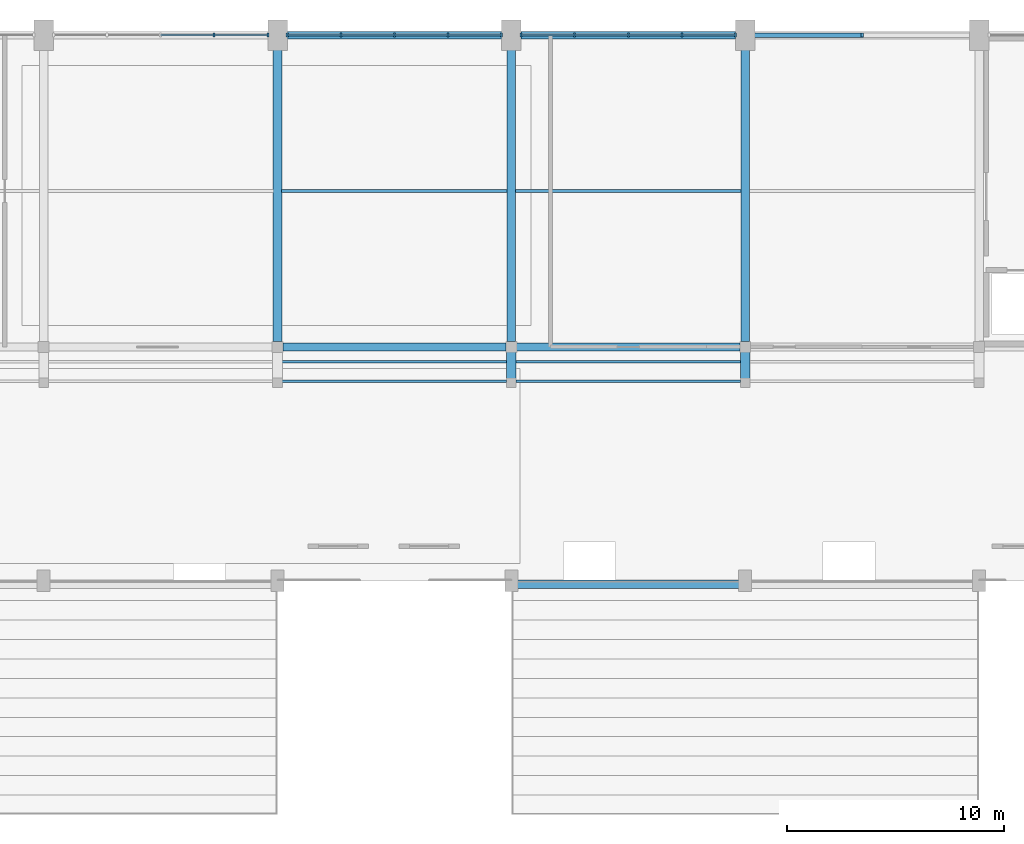
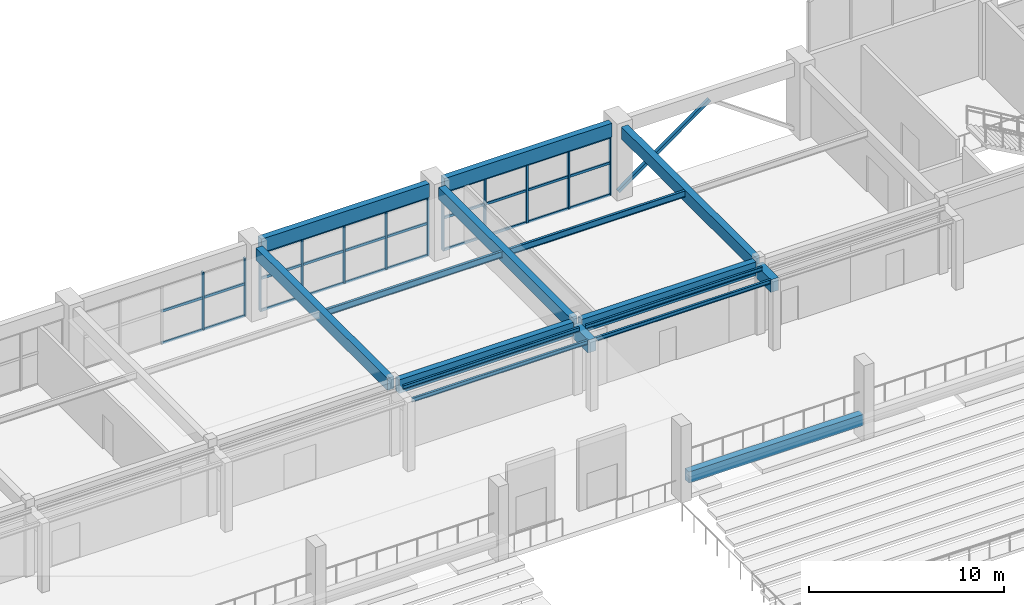
# One storey, part 26 of 74: 35 members, 16 beams, 3 elements without a shape of their own.
"""IFC4 building model written with IfcOpenShell, lengths in metres."""

from ifc_helpers import new_model, si_unit, direction, frame, origin, origin_2d, place, context, subcontext, project, spatial, rectangle, hollow_rectangle, i_section, extrude, material, material_profile, profile_set, type_object, element, aggregate, save


model = new_model("IFC4")

# Units and contexts
model_context = context("Model", 3, precision=1e-05, world=origin(), true_north=direction((0.0, 1.0)))
body_context = subcontext(model_context, "Body", "Model", "MODEL_VIEW")
ifc_project = project(units=[si_unit("LENGTHUNIT", "METRE"), si_unit("AREAUNIT", "SQUARE_METRE"), si_unit("VOLUMEUNIT", "CUBIC_METRE"), si_unit("PLANEANGLEUNIT", "RADIAN"), si_unit("MASSUNIT", "GRAM", prefix="KILO")], contexts=[model_context])

# Site, building, storey
site_placement = place(None, origin())
site = spatial("IfcSite", under=ifc_project, at=site_placement, CompositionType="ELEMENT")
building_placement = place(site_placement, origin())
building = spatial("IfcBuilding", under=site, at=building_placement, Name="Suirenkawa Promenade Aquatics Centre", CompositionType="ELEMENT")
storey_placement = place(building_placement, frame((0.0, 0.0, 4.800048828125)))
storey = spatial("IfcBuildingStorey", under=building, at=storey_placement, Name="L01", CompositionType="ELEMENT", Elevation=4.800048828125)

# Beams
ifc_material_1 = material(Name="Steel IS 2062 E350 (Grade 350)", Category="steel")
ifc_material_profile_1 = material_profile(ifc_material_1, i_section(OverallWidth=0.125, OverallDepth=0.25, WebThickness=0.007080078125, FlangeThickness=0.012939453125, at=origin_2d()), Name="ISMB 250", Category="steel")
ifc_profile_set_1 = profile_set([ifc_material_profile_1], Name="Steel IS 2062 E350 (Grade 350)")
beam_type_1 = type_object("IfcBeamType", Name="BT-JOIST-ISMB250", PredefinedType="JOIST", material=ifc_profile_set_1)
for number, where, z_axis, x_axis, name in (
    (1, (100.989990234375, 106.419921875, 4.18505859375), (1.0, 0.0, 0.0), (0.0, 1.0, 0.0), "VIP tier stringer JS-01 BM-1326"),
    (2, (100.989990234375, 107.320068359375, 4.429931640625), (1.0, 0.0, 0.0), (0.0, 1.0, 0.0), "VIP tier stringer JS-01 BM-1327"),
    (3, (111.7900390625, 106.419921875, 4.18505859375), (1.0, 0.0, 0.0), (0.0, 1.0, 0.0), "VIP tier stringer JS-01 BM-1328"),
    (4, (111.7900390625, 107.320068359375, 4.429931640625), (1.0, 0.0, 0.0), (0.0, 1.0, 0.0), "VIP tier stringer JS-01 BM-1329"),
):
    element("IfcBeam", number, at=place(storey_placement, frame(where, z_axis=z_axis, x_axis=x_axis)), inside=storey, type_object=beam_type_1, Name=name, PredefinedType="JOIST", context=body_context, shape_type="SweptSolid", body=[
        extrude(i_section(OverallWidth=0.125, OverallDepth=0.25, WebThickness=0.007080078125, FlangeThickness=0.012939453125, at=origin_2d()), origin(), (0.0, 0.0, 1.0), 10.419921875),
    ])
ifc_material_profile_2 = material_profile(ifc_material_1, i_section(OverallWidth=0.139892578125, OverallDepth=0.39990234375, WebThickness=0.009033203125, FlangeThickness=0.01611328125, at=origin_2d()), Name="ISMB 400", Category="steel")
ifc_profile_set_2 = profile_set([ifc_material_profile_2], Name="Steel IS 2062 E350 (Grade 350)")
beam_type_2 = type_object("IfcBeamType", Name="BT-JOIST-ISMB400", PredefinedType="JOIST", material=ifc_profile_set_2)
for number, where, z_axis, x_axis, name in (
    (5, (100.993896484375, 115.199951171875, 4.347900390625), (1.0, 0.0, 0.0), (0.0, 1.0, 0.0), "Secondary floor joist JS-04 BM-1153"),
    (6, (111.7939453125, 115.199951171875, 4.347900390625), (1.0, 0.0, 0.0), (0.0, 1.0, 0.0), "Secondary floor joist JS-04 BM-1154"),
):
    element("IfcBeam", number, at=place(storey_placement, frame(where, z_axis=z_axis, x_axis=x_axis)), inside=storey, type_object=beam_type_2, Name=name, PredefinedType="JOIST", context=body_context, shape_type="SweptSolid", body=[
        extrude(i_section(OverallWidth=0.139892578125, OverallDepth=0.39990234375, WebThickness=0.009033203125, FlangeThickness=0.01611328125, at=origin_2d()), origin(), (0.0, 0.0, 1.0), 10.412109375),
    ])
ifc_material_2 = material(Name="Concrete M35", Category="concrete")
ifc_material_profile_3 = material_profile(ifc_material_2, rectangle(XDim=0.39990234375, YDim=0.699951171875, at=origin_2d()), Name="RC BM 400x700", Category="concrete")
ifc_profile_set_3 = profile_set([ifc_material_profile_3], Name="Concrete M35")
beam_type_3 = type_object("IfcBeamType", Name="BT-RC-400x700", PredefinedType="BEAM", material=ifc_profile_set_3)
beam_placement = place(storey_placement, frame((111.840087890625, 97.050048828125, 1.329833984375), z_axis=(1.0, 0.0, 0.0), x_axis=(0.0, 1.0, 0.0)))
element("IfcBeam", 7, at=beam_placement, inside=storey, type_object=beam_type_3, Name="Bowl top header beam BM-04 BM-1268", PredefinedType="BEAM", context=body_context, shape_type="SweptSolid", body=[
    extrude(rectangle(XDim=0.39990234375, YDim=0.699951171875, at=origin_2d()), origin(), (0.0, 0.0, 1.0), 10.31982421875),
])
ifc_material_3 = material(Name="Concrete M40", Category="concrete")
ifc_material_profile_4 = material_profile(ifc_material_3, rectangle(XDim=0.39990234375, YDim=0.75, at=origin_2d()), Name="RC BM 400x750", Category="concrete")
ifc_profile_set_4 = profile_set([ifc_material_profile_4], Name="Concrete M40")
beam_type_4 = type_object("IfcBeamType", Name="BT-RC-400x750", PredefinedType="BEAM", material=ifc_profile_set_4)
for number, where, z_axis, x_axis, name in (
    (8, (100.800048828125, 108.243896484375, 4.175048828125), (0.0, 1.0, 0.0), (-1.0, 0.0, 0.0), "Floor beam BM-05 BM-1146"),
    (9, (111.60009765625, 108.243896484375, 4.175048828125), (0.0, 1.0, 0.0), (-1.0, 0.0, 0.0), "Floor beam BM-05 BM-1147"),
    (10, (122.39990234375, 108.243896484375, 4.175048828125), (0.0, 1.0, 0.0), (-1.0, 0.0, 0.0), "Floor beam BM-05 BM-1148"),
):
    element("IfcBeam", number, at=place(storey_placement, frame(where, z_axis=z_axis, x_axis=x_axis)), inside=storey, type_object=beam_type_4, Name=name, PredefinedType="BEAM", context=body_context, shape_type="SweptSolid", body=[
        extrude(rectangle(XDim=0.39990234375, YDim=0.75, at=origin_2d()), origin(), (0.0, 0.0, 1.0), 13.462158203125),
    ])
ifc_material_profile_5 = material_profile(ifc_material_3, rectangle(XDim=0.449951171875, YDim=0.800048828125, at=origin_2d()), Name="RC BM 450x800", Category="concrete")
ifc_profile_set_5 = profile_set([ifc_material_profile_5], Name="Concrete M40")
beam_type_5 = type_object("IfcBeamType", Name="BT-RC-450x800", PredefinedType="BEAM", material=ifc_profile_set_5)
for number, where, z_axis, x_axis, name in (
    (11, (111.60009765625, 106.35009765625, 3.909912109375), (0.0, 1.0, 0.0), (-1.0, 0.0, 0.0), "VIP tier support girder BM-06 BM-1317"),
    (12, (122.39990234375, 106.35009765625, 3.909912109375), (0.0, 1.0, 0.0), (-1.0, 0.0, 0.0), "VIP tier support girder BM-06 BM-1318"),
):
    element("IfcBeam", number, at=place(storey_placement, frame(where, z_axis=z_axis, x_axis=x_axis)), inside=storey, type_object=beam_type_5, Name=name, PredefinedType="BEAM", context=body_context, shape_type="SweptSolid", body=[
        extrude(rectangle(XDim=0.449951171875, YDim=0.800048828125, at=origin_2d()), origin(), (0.0, 0.0, 1.0), 1.599853515625),
    ])
ifc_material_profile_6 = material_profile(ifc_material_3, rectangle(XDim=0.35009765625, YDim=0.85009765625, at=origin_2d()), Name="RC SPANDREL 350x850", Category="concrete")
ifc_profile_set_6 = profile_set([ifc_material_profile_6], Name="Concrete M40")
beam_type_6 = type_object("IfcBeamType", Name="BT-SPANDREL-350x850", PredefinedType="SPANDREL", material=ifc_profile_set_6)
for number, where, z_axis, x_axis, name in (
    (13, (101.0439453125, 108.0, 4.125), (1.0, 0.0, 0.0), (0.0, 1.0, 0.0), "Floor beam SP-02 BM-1130"),
    (14, (111.843994140625, 108.0, 4.125), (1.0, 0.0, 0.0), (0.0, 1.0, 0.0), "Floor beam SP-02 BM-1131"),
):
    element("IfcBeam", number, at=place(storey_placement, frame(where, z_axis=z_axis, x_axis=x_axis)), inside=storey, type_object=beam_type_6, Name=name, PredefinedType="SPANDREL", context=body_context, shape_type="SweptSolid", body=[
        extrude(rectangle(XDim=0.35009765625, YDim=0.85009765625, at=origin_2d()), origin(), (0.0, 0.0, 1.0), 10.31201171875),
    ])
for number, where, z_axis, x_axis, name in (
    (15, (101.243896484375, 122.39990234375, 4.125), (1.0, 0.0, 0.0), (0.0, 1.0, 0.0), "Floor beam SP-02 BM-1138"),
    (16, (112.0439453125, 122.39990234375, 4.125), (1.0, 0.0, 0.0), (0.0, 1.0, 0.0), "Floor beam SP-02 BM-1139"),
):
    element("IfcBeam", number, at=place(storey_placement, frame(where, z_axis=z_axis, x_axis=x_axis)), inside=storey, type_object=beam_type_6, Name=name, PredefinedType="SPANDREL", context=body_context, shape_type="SweptSolid", body=[
        extrude(rectangle(XDim=0.35009765625, YDim=0.85009765625, at=origin_2d()), origin(), (0.0, 0.0, 1.0), 9.912109375),
    ])

# Curtain wall, members
ifc_material_4 = material(Name="Anodised aluminium 6063-T6", Category="aluminium")
curtain_wall_type = type_object("IfcCurtainWallType", Name="CWAT-V1CONC-11", PredefinedType="NOTDEFINED", material=ifc_material_4)
curtain_wall_1_placement = place(storey_placement, origin())
curtain_wall_1 = element("IfcCurtainWall", 17, at=curtain_wall_1_placement, inside=storey, type_object=curtain_wall_type, Name="Curtain wall CWA-11 CW-021", PredefinedType="NOTDEFINED")
ifc_material_profile_7 = material_profile(ifc_material_4, rectangle(XDim=0.094970703125, YDim=0.18994140625, at=origin_2d()), Name="ALU MULL 95x190", Category="aluminium")
ifc_profile_set_7 = profile_set([ifc_material_profile_7], Name="Anodised aluminium 6063-T6")
member_type_1 = type_object("IfcMemberType", Name="CWM-190x95", PredefinedType="MULLION", material=ifc_profile_set_7)
member_1_placement = place(storey_placement, frame((97.87548828125, 122.39990234375, 0.0), z_axis=(0.0, 0.0, 1.0), x_axis=(1.0, 0.0, 0.0)))
member_1 = element("IfcMember", 18, at=member_1_placement, type_object=member_type_1, Name="Mullion ML-02 CWM-00442", PredefinedType="MULLION", context=body_context, shape_type="SweptSolid", body=[
    extrude(rectangle(XDim=0.094970703125, YDim=0.18994140625, at=origin_2d()), origin(), (0.0, 0.0, 1.0), 3.60498046875),
])
member_2_placement = place(storey_placement, frame((100.35107421875, 122.39990234375, 0.0), z_axis=(0.0, 0.0, 1.0), x_axis=(1.0, 0.0, 0.0)))
member_2 = element("IfcMember", 19, at=member_2_placement, type_object=member_type_1, Name="Mullion ML-02 CWM-00443", PredefinedType="MULLION", context=body_context, shape_type="SweptSolid", body=[
    extrude(rectangle(XDim=0.094970703125, YDim=0.18994140625, at=origin_2d()), origin(), (0.0, 0.0, 1.0), 3.60498046875),
])

curtain_wall_2_placement = place(storey_placement, origin())
curtain_wall_2 = element("IfcCurtainWall", 20, at=curtain_wall_2_placement, inside=storey, type_object=curtain_wall_type, Name="Curtain wall CWA-11 CW-024", PredefinedType="NOTDEFINED")
member_3_placement = place(storey_placement, frame((101.2490234375, 122.39990234375, 0.0), z_axis=(0.0, 0.0, 1.0), x_axis=(1.0, 0.0, 0.0)))
member_3 = element("IfcMember", 21, at=member_3_placement, type_object=member_type_1, Name="Mullion ML-02 CWM-00499", PredefinedType="MULLION", context=body_context, shape_type="SweptSolid", body=[
    extrude(rectangle(XDim=0.094970703125, YDim=0.18994140625, at=origin_2d()), origin(), (0.0, 0.0, 1.0), 3.60498046875),
])
member_4_placement = place(storey_placement, frame((103.724609375, 122.39990234375, 0.0), z_axis=(0.0, 0.0, 1.0), x_axis=(1.0, 0.0, 0.0)))
member_4 = element("IfcMember", 22, at=member_4_placement, type_object=member_type_1, Name="Mullion ML-02 CWM-00500", PredefinedType="MULLION", context=body_context, shape_type="SweptSolid", body=[
    extrude(rectangle(XDim=0.094970703125, YDim=0.18994140625, at=origin_2d()), origin(), (0.0, 0.0, 1.0), 3.60498046875),
])
member_5_placement = place(storey_placement, frame((106.199951171875, 122.39990234375, 0.0), z_axis=(0.0, 0.0, 1.0), x_axis=(1.0, 0.0, 0.0)))
member_5 = element("IfcMember", 23, at=member_5_placement, type_object=member_type_1, Name="Mullion ML-02 CWM-00501", PredefinedType="MULLION", context=body_context, shape_type="SweptSolid", body=[
    extrude(rectangle(XDim=0.094970703125, YDim=0.18994140625, at=origin_2d()), origin(), (0.0, 0.0, 1.0), 3.60498046875),
])
member_6_placement = place(storey_placement, frame((108.675537109375, 122.39990234375, 0.0), z_axis=(0.0, 0.0, 1.0), x_axis=(1.0, 0.0, 0.0)))
member_6 = element("IfcMember", 24, at=member_6_placement, type_object=member_type_1, Name="Mullion ML-02 CWM-00502", PredefinedType="MULLION", context=body_context, shape_type="SweptSolid", body=[
    extrude(rectangle(XDim=0.094970703125, YDim=0.18994140625, at=origin_2d()), origin(), (0.0, 0.0, 1.0), 3.60498046875),
])
member_7_placement = place(storey_placement, frame((111.15087890625, 122.39990234375, 0.0), z_axis=(0.0, 0.0, 1.0), x_axis=(1.0, 0.0, 0.0)))
member_7 = element("IfcMember", 25, at=member_7_placement, type_object=member_type_1, Name="Mullion ML-02 CWM-00503", PredefinedType="MULLION", context=body_context, shape_type="SweptSolid", body=[
    extrude(rectangle(XDim=0.094970703125, YDim=0.18994140625, at=origin_2d()), origin(), (0.0, 0.0, 1.0), 3.60498046875),
])

curtain_wall_3_placement = place(storey_placement, origin())
curtain_wall_3 = element("IfcCurtainWall", 26, at=curtain_wall_3_placement, inside=storey, type_object=curtain_wall_type, Name="Curtain wall CWA-11 CW-027", PredefinedType="NOTDEFINED")
member_8_placement = place(storey_placement, frame((112.049072265625, 122.39990234375, 0.0), z_axis=(0.0, 0.0, 1.0), x_axis=(1.0, 0.0, 0.0)))
member_8 = element("IfcMember", 27, at=member_8_placement, type_object=member_type_1, Name="Mullion ML-02 CWM-00559", PredefinedType="MULLION", context=body_context, shape_type="SweptSolid", body=[
    extrude(rectangle(XDim=0.094970703125, YDim=0.18994140625, at=origin_2d()), origin(), (0.0, 0.0, 1.0), 3.60498046875),
])
member_9_placement = place(storey_placement, frame((114.5244140625, 122.39990234375, 0.0), z_axis=(0.0, 0.0, 1.0), x_axis=(1.0, 0.0, 0.0)))
member_9 = element("IfcMember", 28, at=member_9_placement, type_object=member_type_1, Name="Mullion ML-02 CWM-00560", PredefinedType="MULLION", context=body_context, shape_type="SweptSolid", body=[
    extrude(rectangle(XDim=0.094970703125, YDim=0.18994140625, at=origin_2d()), origin(), (0.0, 0.0, 1.0), 3.60498046875),
])
member_10_placement = place(storey_placement, frame((117.0, 122.39990234375, 0.0), z_axis=(0.0, 0.0, 1.0), x_axis=(1.0, 0.0, 0.0)))
member_10 = element("IfcMember", 29, at=member_10_placement, type_object=member_type_1, Name="Mullion ML-02 CWM-00561", PredefinedType="MULLION", context=body_context, shape_type="SweptSolid", body=[
    extrude(rectangle(XDim=0.094970703125, YDim=0.18994140625, at=origin_2d()), origin(), (0.0, 0.0, 1.0), 3.60498046875),
])
member_11_placement = place(storey_placement, frame((119.4755859375, 122.39990234375, 0.0), z_axis=(0.0, 0.0, 1.0), x_axis=(1.0, 0.0, 0.0)))
member_11 = element("IfcMember", 30, at=member_11_placement, type_object=member_type_1, Name="Mullion ML-02 CWM-00562", PredefinedType="MULLION", context=body_context, shape_type="SweptSolid", body=[
    extrude(rectangle(XDim=0.094970703125, YDim=0.18994140625, at=origin_2d()), origin(), (0.0, 0.0, 1.0), 3.60498046875),
])
member_12_placement = place(storey_placement, frame((121.950927734375, 122.39990234375, 0.0), z_axis=(0.0, 0.0, 1.0), x_axis=(1.0, 0.0, 0.0)))
member_12 = element("IfcMember", 31, at=member_12_placement, type_object=member_type_1, Name="Mullion ML-02 CWM-00563", PredefinedType="MULLION", context=body_context, shape_type="SweptSolid", body=[
    extrude(rectangle(XDim=0.094970703125, YDim=0.18994140625, at=origin_2d()), origin(), (0.0, 0.0, 1.0), 3.60498046875),
])

# Member
ifc_material_profile_8 = material_profile(ifc_material_4, rectangle(XDim=0.094970703125, YDim=0.14990234375, at=origin_2d()), Name="ALU TRAN 95x150", Category="aluminium")
ifc_profile_set_8 = profile_set([ifc_material_profile_8], Name="Anodised aluminium 6063-T6")
member_type_2 = type_object("IfcMemberType", Name="CWT-150x95", PredefinedType="USERDEFINED", material=ifc_profile_set_8)
member_13_placement = place(storey_placement, frame((95.39990234375, 122.39990234375, 0.0), z_axis=(1.0, 0.0, 0.0), x_axis=(0.0, 1.0, 0.0)))
member_13 = element("IfcMember", 32, at=member_13_placement, type_object=member_type_2, Name="Transom TR-02 CWT-00446", ObjectType="TRANSOM", PredefinedType="USERDEFINED", context=body_context, shape_type="SweptSolid", body=[
    extrude(rectangle(XDim=0.094970703125, YDim=0.14990234375, at=origin_2d()), origin(), (0.0, 0.0, 1.0), 2.4755859375),
])

member_14_placement = place(storey_placement, frame((97.87548828125, 122.39990234375, 0.0), z_axis=(1.0, 0.0, 0.0), x_axis=(0.0, 1.0, 0.0)))
member_14 = element("IfcMember", 33, at=member_14_placement, type_object=member_type_2, Name="Transom TR-02 CWT-00447", ObjectType="TRANSOM", PredefinedType="USERDEFINED", context=body_context, shape_type="SweptSolid", body=[
    extrude(rectangle(XDim=0.094970703125, YDim=0.14990234375, at=origin_2d()), origin(), (0.0, 0.0, 1.0), 2.4755859375),
])

member_15_placement = place(storey_placement, frame((95.39990234375, 122.39990234375, 2.0), z_axis=(1.0, 0.0, 0.0), x_axis=(0.0, 1.0, 0.0)))
member_15 = element("IfcMember", 34, at=member_15_placement, type_object=member_type_2, Name="Transom TR-02 CWT-00450", ObjectType="TRANSOM", PredefinedType="USERDEFINED", context=body_context, shape_type="SweptSolid", body=[
    extrude(rectangle(XDim=0.094970703125, YDim=0.14990234375, at=origin_2d()), origin(), (0.0, 0.0, 1.0), 2.4755859375),
])

member_16_placement = place(storey_placement, frame((97.87548828125, 122.39990234375, 2.0), z_axis=(1.0, 0.0, 0.0), x_axis=(0.0, 1.0, 0.0)))
member_16 = element("IfcMember", 35, at=member_16_placement, type_object=member_type_2, Name="Transom TR-02 CWT-00451", ObjectType="TRANSOM", PredefinedType="USERDEFINED", context=body_context, shape_type="SweptSolid", body=[
    extrude(rectangle(XDim=0.094970703125, YDim=0.14990234375, at=origin_2d()), origin(), (0.0, 0.0, 1.0), 2.4755859375),
])

aggregate(curtain_wall_1, [member_1, member_2, member_13, member_14, member_15, member_16])

member_17_placement = place(storey_placement, frame((101.2490234375, 122.39990234375, 0.0), z_axis=(1.0, 0.0, 0.0), x_axis=(0.0, 1.0, 0.0)))
member_17 = element("IfcMember", 36, at=member_17_placement, type_object=member_type_2, Name="Transom TR-02 CWT-00504", ObjectType="TRANSOM", PredefinedType="USERDEFINED", context=body_context, shape_type="SweptSolid", body=[
    extrude(rectangle(XDim=0.094970703125, YDim=0.14990234375, at=origin_2d()), origin(), (0.0, 0.0, 1.0), 2.4755859375),
])

member_18_placement = place(storey_placement, frame((103.724609375, 122.39990234375, 0.0), z_axis=(1.0, 0.0, 0.0), x_axis=(0.0, 1.0, 0.0)))
member_18 = element("IfcMember", 37, at=member_18_placement, type_object=member_type_2, Name="Transom TR-02 CWT-00505", ObjectType="TRANSOM", PredefinedType="USERDEFINED", context=body_context, shape_type="SweptSolid", body=[
    extrude(rectangle(XDim=0.094970703125, YDim=0.14990234375, at=origin_2d()), origin(), (0.0, 0.0, 1.0), 2.475341796875),
])

member_19_placement = place(storey_placement, frame((106.199951171875, 122.39990234375, 0.0), z_axis=(1.0, 0.0, 0.0), x_axis=(0.0, 1.0, 0.0)))
member_19 = element("IfcMember", 38, at=member_19_placement, type_object=member_type_2, Name="Transom TR-02 CWT-00506", ObjectType="TRANSOM", PredefinedType="USERDEFINED", context=body_context, shape_type="SweptSolid", body=[
    extrude(rectangle(XDim=0.094970703125, YDim=0.14990234375, at=origin_2d()), origin(), (0.0, 0.0, 1.0), 2.4755859375),
])

member_20_placement = place(storey_placement, frame((108.675537109375, 122.39990234375, 0.0), z_axis=(1.0, 0.0, 0.0), x_axis=(0.0, 1.0, 0.0)))
member_20 = element("IfcMember", 39, at=member_20_placement, type_object=member_type_2, Name="Transom TR-02 CWT-00507", ObjectType="TRANSOM", PredefinedType="USERDEFINED", context=body_context, shape_type="SweptSolid", body=[
    extrude(rectangle(XDim=0.094970703125, YDim=0.14990234375, at=origin_2d()), origin(), (0.0, 0.0, 1.0), 2.475341796875),
])

member_21_placement = place(storey_placement, frame((101.2490234375, 122.39990234375, 2.0), z_axis=(1.0, 0.0, 0.0), x_axis=(0.0, 1.0, 0.0)))
member_21 = element("IfcMember", 40, at=member_21_placement, type_object=member_type_2, Name="Transom TR-02 CWT-00508", ObjectType="TRANSOM", PredefinedType="USERDEFINED", context=body_context, shape_type="SweptSolid", body=[
    extrude(rectangle(XDim=0.094970703125, YDim=0.14990234375, at=origin_2d()), origin(), (0.0, 0.0, 1.0), 2.4755859375),
])

member_22_placement = place(storey_placement, frame((103.724609375, 122.39990234375, 2.0), z_axis=(1.0, 0.0, 0.0), x_axis=(0.0, 1.0, 0.0)))
member_22 = element("IfcMember", 41, at=member_22_placement, type_object=member_type_2, Name="Transom TR-02 CWT-00509", ObjectType="TRANSOM", PredefinedType="USERDEFINED", context=body_context, shape_type="SweptSolid", body=[
    extrude(rectangle(XDim=0.094970703125, YDim=0.14990234375, at=origin_2d()), origin(), (0.0, 0.0, 1.0), 2.475341796875),
])

member_23_placement = place(storey_placement, frame((106.199951171875, 122.39990234375, 2.0), z_axis=(1.0, 0.0, 0.0), x_axis=(0.0, 1.0, 0.0)))
member_23 = element("IfcMember", 42, at=member_23_placement, type_object=member_type_2, Name="Transom TR-02 CWT-00510", ObjectType="TRANSOM", PredefinedType="USERDEFINED", context=body_context, shape_type="SweptSolid", body=[
    extrude(rectangle(XDim=0.094970703125, YDim=0.14990234375, at=origin_2d()), origin(), (0.0, 0.0, 1.0), 2.4755859375),
])

member_24_placement = place(storey_placement, frame((108.675537109375, 122.39990234375, 2.0), z_axis=(1.0, 0.0, 0.0), x_axis=(0.0, 1.0, 0.0)))
member_24 = element("IfcMember", 43, at=member_24_placement, type_object=member_type_2, Name="Transom TR-02 CWT-00511", ObjectType="TRANSOM", PredefinedType="USERDEFINED", context=body_context, shape_type="SweptSolid", body=[
    extrude(rectangle(XDim=0.094970703125, YDim=0.14990234375, at=origin_2d()), origin(), (0.0, 0.0, 1.0), 2.475341796875),
])

member_25_placement = place(storey_placement, frame((101.2490234375, 122.39990234375, 3.60498046875), z_axis=(1.0, 0.0, 0.0), x_axis=(0.0, 1.0, 0.0)))
member_25 = element("IfcMember", 44, at=member_25_placement, type_object=member_type_2, Name="Roofline transom TR-02 CWT-00512", ObjectType="TRANSOM", PredefinedType="USERDEFINED", context=body_context, shape_type="SweptSolid", body=[
    extrude(rectangle(XDim=0.094970703125, YDim=0.14990234375, at=origin_2d()), origin(), (0.0, 0.0, 1.0), 9.90185546875),
])

aggregate(curtain_wall_2, [member_3, member_4, member_5, member_6, member_7, member_17, member_18, member_19, member_20, member_21, member_22, member_23, member_24, member_25])

member_26_placement = place(storey_placement, frame((112.049072265625, 122.39990234375, 0.0), z_axis=(1.0, 0.0, 0.0), x_axis=(0.0, 1.0, 0.0)))
member_26 = element("IfcMember", 45, at=member_26_placement, type_object=member_type_2, Name="Transom TR-02 CWT-00564", ObjectType="TRANSOM", PredefinedType="USERDEFINED", context=body_context, shape_type="SweptSolid", body=[
    extrude(rectangle(XDim=0.094970703125, YDim=0.14990234375, at=origin_2d()), origin(), (0.0, 0.0, 1.0), 2.475341796875),
])

member_27_placement = place(storey_placement, frame((114.5244140625, 122.39990234375, 0.0), z_axis=(1.0, 0.0, 0.0), x_axis=(0.0, 1.0, 0.0)))
member_27 = element("IfcMember", 46, at=member_27_placement, type_object=member_type_2, Name="Transom TR-02 CWT-00565", ObjectType="TRANSOM", PredefinedType="USERDEFINED", context=body_context, shape_type="SweptSolid", body=[
    extrude(rectangle(XDim=0.094970703125, YDim=0.14990234375, at=origin_2d()), origin(), (0.0, 0.0, 1.0), 2.4755859375),
])

member_28_placement = place(storey_placement, frame((117.0, 122.39990234375, 0.0), z_axis=(1.0, 0.0, 0.0), x_axis=(0.0, 1.0, 0.0)))
member_28 = element("IfcMember", 47, at=member_28_placement, type_object=member_type_2, Name="Transom TR-02 CWT-00566", ObjectType="TRANSOM", PredefinedType="USERDEFINED", context=body_context, shape_type="SweptSolid", body=[
    extrude(rectangle(XDim=0.094970703125, YDim=0.14990234375, at=origin_2d()), origin(), (0.0, 0.0, 1.0), 2.4755859375),
])

member_29_placement = place(storey_placement, frame((119.4755859375, 122.39990234375, 0.0), z_axis=(1.0, 0.0, 0.0), x_axis=(0.0, 1.0, 0.0)))
member_29 = element("IfcMember", 48, at=member_29_placement, type_object=member_type_2, Name="Transom TR-02 CWT-00567", ObjectType="TRANSOM", PredefinedType="USERDEFINED", context=body_context, shape_type="SweptSolid", body=[
    extrude(rectangle(XDim=0.094970703125, YDim=0.14990234375, at=origin_2d()), origin(), (0.0, 0.0, 1.0), 2.475341796875),
])

member_30_placement = place(storey_placement, frame((112.049072265625, 122.39990234375, 2.0), z_axis=(1.0, 0.0, 0.0), x_axis=(0.0, 1.0, 0.0)))
member_30 = element("IfcMember", 49, at=member_30_placement, type_object=member_type_2, Name="Transom TR-02 CWT-00568", ObjectType="TRANSOM", PredefinedType="USERDEFINED", context=body_context, shape_type="SweptSolid", body=[
    extrude(rectangle(XDim=0.094970703125, YDim=0.14990234375, at=origin_2d()), origin(), (0.0, 0.0, 1.0), 2.475341796875),
])

member_31_placement = place(storey_placement, frame((114.5244140625, 122.39990234375, 2.0), z_axis=(1.0, 0.0, 0.0), x_axis=(0.0, 1.0, 0.0)))
member_31 = element("IfcMember", 50, at=member_31_placement, type_object=member_type_2, Name="Transom TR-02 CWT-00569", ObjectType="TRANSOM", PredefinedType="USERDEFINED", context=body_context, shape_type="SweptSolid", body=[
    extrude(rectangle(XDim=0.094970703125, YDim=0.14990234375, at=origin_2d()), origin(), (0.0, 0.0, 1.0), 2.4755859375),
])

member_32_placement = place(storey_placement, frame((117.0, 122.39990234375, 2.0), z_axis=(1.0, 0.0, 0.0), x_axis=(0.0, 1.0, 0.0)))
member_32 = element("IfcMember", 51, at=member_32_placement, type_object=member_type_2, Name="Transom TR-02 CWT-00570", ObjectType="TRANSOM", PredefinedType="USERDEFINED", context=body_context, shape_type="SweptSolid", body=[
    extrude(rectangle(XDim=0.094970703125, YDim=0.14990234375, at=origin_2d()), origin(), (0.0, 0.0, 1.0), 2.4755859375),
])

member_33_placement = place(storey_placement, frame((119.4755859375, 122.39990234375, 2.0), z_axis=(1.0, 0.0, 0.0), x_axis=(0.0, 1.0, 0.0)))
member_33 = element("IfcMember", 52, at=member_33_placement, type_object=member_type_2, Name="Transom TR-02 CWT-00571", ObjectType="TRANSOM", PredefinedType="USERDEFINED", context=body_context, shape_type="SweptSolid", body=[
    extrude(rectangle(XDim=0.094970703125, YDim=0.14990234375, at=origin_2d()), origin(), (0.0, 0.0, 1.0), 2.475341796875),
])

member_34_placement = place(storey_placement, frame((112.049072265625, 122.39990234375, 3.60498046875), z_axis=(1.0, 0.0, 0.0), x_axis=(0.0, 1.0, 0.0)))
member_34 = element("IfcMember", 53, at=member_34_placement, type_object=member_type_2, Name="Roofline transom TR-02 CWT-00572", ObjectType="TRANSOM", PredefinedType="USERDEFINED", context=body_context, shape_type="SweptSolid", body=[
    extrude(rectangle(XDim=0.094970703125, YDim=0.14990234375, at=origin_2d()), origin(), (0.0, 0.0, 1.0), 9.90185546875),
])

aggregate(curtain_wall_3, [member_8, member_9, member_10, member_11, member_12, member_26, member_27, member_28, member_29, member_30, member_31, member_32, member_33, member_34])

ifc_material_profile_9 = material_profile(ifc_material_1, hollow_rectangle(XDim=0.199951171875, YDim=0.199951171875, WallThickness=0.010009765625, at=origin_2d()), Name="SHS 200x200x10", Category="steel")
ifc_profile_set_9 = profile_set([ifc_material_profile_9], Name="Steel IS 2062 E350 (Grade 350)")
member_type_3 = type_object("IfcMemberType", Name="MT-BRACE-SHS200", PredefinedType="BRACE", material=ifc_profile_set_9)
member_35_placement = place(storey_placement, frame((122.39990234375, 122.39990234375, 0.050048828125), z_axis=(0.814260453603, 0.0, 0.580499710334), x_axis=(0.0, 1.0, 0.0)))
element("IfcMember", 54, at=member_35_placement, inside=storey, type_object=member_type_3, Name="ROOF TRUSS Vertical chevron brace BF-01 MB-2911", PredefinedType="BRACE", context=body_context, shape_type="SweptSolid", body=[
    extrude(hollow_rectangle(XDim=0.199951171875, YDim=0.199951171875, WallThickness=0.010009765625, at=origin_2d()), origin(), (0.0, 0.0, 1.0), 6.632080078125),
])

save(model, "model.ifc")
